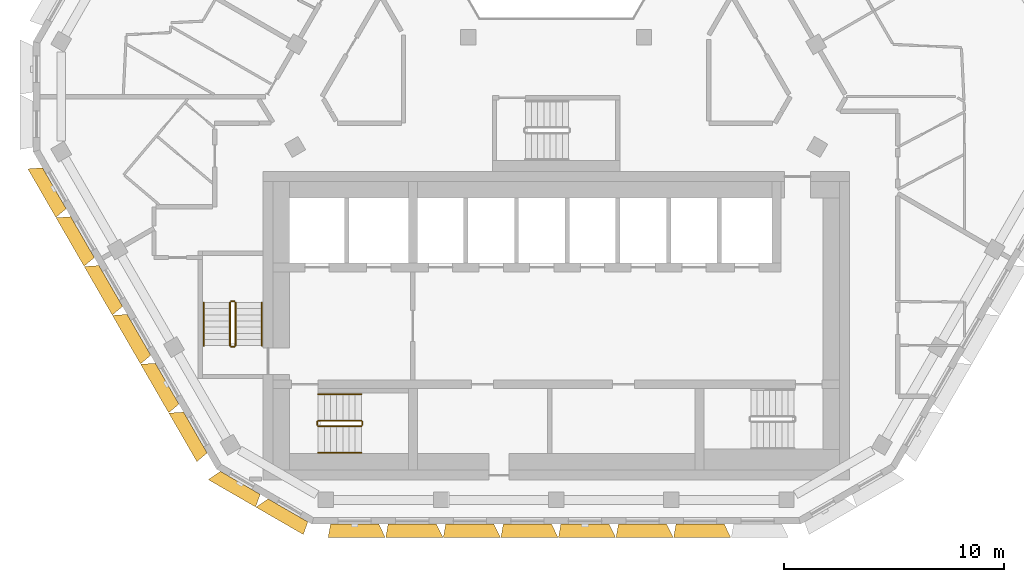
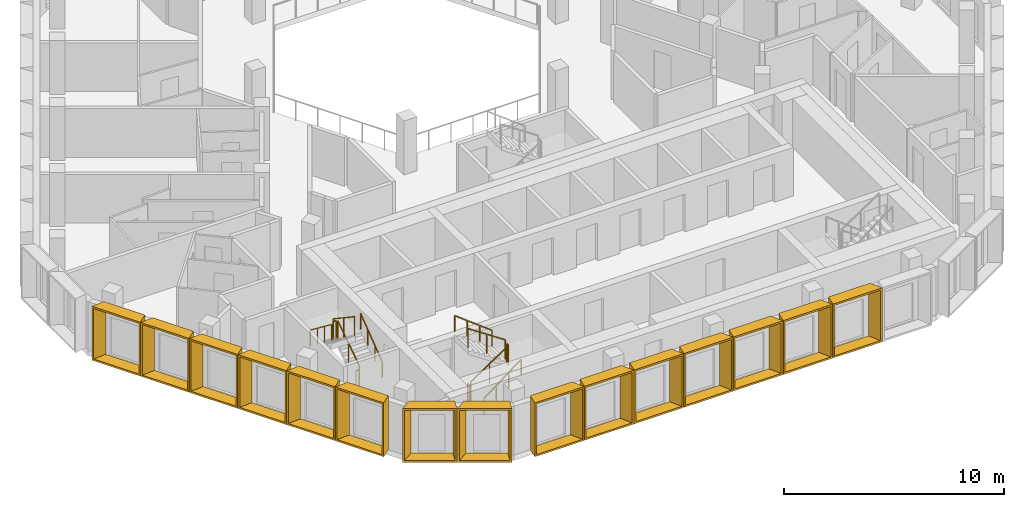
# One storey, part 12 of 16: 15 shading devices, 12 railings.
"""IFC4 building model written with IfcOpenShell, lengths in metres."""

import ifcopenshell
import ifcopenshell.guid

model = None  # the IFC model being written
_history = None  # IfcOwnerHistory: only IFC2X3 demands one
_inside = {}  # id of a spatial element -> (the spatial element, [elements in it])
_under = {}  # id of a project, library or spatial element -> (it, [spatial elements below it])
_declared = {}  # id of a project -> (the project, [libraries it declares])
_typed = {}  # id of a type object -> (the type object, [elements of that type])
_made_of = {}  # id of a material, layer set ... -> (it, [elements and type objects made of it])


def new_model(schema):
    """Start an empty IFC model of exactly this schema.

    Asked for "IFC4X3", IfcOpenShell would pick the latest addendum, in which some entities
    have other attributes; the version numbers below select the first issue.
    IFC2X3 requires an IfcOwnerHistory on every rooted entity: one is made here for all.
    """
    global model, _history
    if schema == "IFC4X3":
        model = ifcopenshell.file(schema_version=(4, 3, 0, 0))
    else:
        model = ifcopenshell.file(schema=schema)
    _inside.clear()
    _under.clear()
    _declared.clear()
    _typed.clear()
    _made_of.clear()
    _history = None
    if model.schema == "IFC2X3":
        org = make("IfcOrganization", Name="unknown")
        user = make(
            "IfcPersonAndOrganization",
            ThePerson=make("IfcPerson", FamilyName="unknown"),
            TheOrganization=org,
        )
        app = make(
            "IfcApplication",
            ApplicationDeveloper=org,
            Version="unknown",
            ApplicationFullName="unknown",
            ApplicationIdentifier="unknown",
        )
        _history = make(
            "IfcOwnerHistory",
            OwningUser=user,
            OwningApplication=app,
            ChangeAction="ADDED",
            CreationDate=0,
        )
    return model


def make(cls, **values):
    """One entity of the class cls with the attributes given. An attribute that is None is left unset."""
    return model.create_entity(
        cls, **{name: value for name, value in values.items() if value is not None}
    )


def entity(cls, *values):
    """Any entity or typed value of the class cls, its attributes in the order of the schema. None: left unset."""
    e = model.create_entity(cls)
    for i, value in enumerate(values):
        if value is not None:
            e[i] = value
    return e


def rooted(cls, **values):
    """An entity with a GlobalId (a new one), such as an element, a storey or a relation."""
    return make(cls, GlobalId=ifcopenshell.guid.new(), OwnerHistory=_history, **values)


def si_unit(unit_type, name, prefix=None):
    """IfcSIUnit, for example si_unit("LENGTHUNIT", "METRE", prefix="MILLI")."""
    return make("IfcSIUnit", UnitType=unit_type, Prefix=prefix, Name=name)


def assignment(units):
    """IfcUnitAssignment: the units of a project."""
    return None if units is None else make("IfcUnitAssignment", Units=units)


def point(xyz):
    """IfcCartesianPoint."""
    return None if xyz is None else make("IfcCartesianPoint", Coordinates=xyz)


def direction(xyz):
    """IfcDirection."""
    return None if xyz is None else make("IfcDirection", DirectionRatios=xyz)


def frame(location, z_axis=None, x_axis=None):
    """IfcAxis2Placement3D, a coordinate frame: its origin and axes. An axis left out is left unset."""
    return make(
        "IfcAxis2Placement3D",
        Location=point(location),
        Axis=direction(z_axis),
        RefDirection=direction(x_axis),
    )


def frame_2d(location, x_axis=None):
    """IfcAxis2Placement2D, a coordinate frame in the plane: its origin and x axis."""
    return make(
        "IfcAxis2Placement2D", Location=point(location), RefDirection=direction(x_axis)
    )


def origin():
    """The frame at (0, 0, 0) with its axes left unset."""
    return frame((0.0, 0.0, 0.0))


def origin_2d():
    """The frame at (0, 0) in the plane with its x axis left unset."""
    return frame_2d((0.0, 0.0))


def place(relative_to, where):
    """IfcLocalPlacement: puts the frame where relative to a parent placement (None: the world)."""
    return make(
        "IfcLocalPlacement", PlacementRelTo=relative_to, RelativePlacement=where
    )


def context(
    kind, dimensions, precision=None, world=None, true_north=None, identifier=None
):
    """IfcGeometricRepresentationContext, for example the 3D "Model" context."""
    return make(
        "IfcGeometricRepresentationContext",
        ContextIdentifier=identifier,
        ContextType=kind,
        CoordinateSpaceDimension=dimensions,
        Precision=precision,
        WorldCoordinateSystem=world,
        TrueNorth=true_north,
    )


def subcontext(parent, identifier, kind, view, scale=None):
    """IfcGeometricRepresentationSubContext, for example "Body" below "Model"."""
    return make(
        "IfcGeometricRepresentationSubContext",
        ContextIdentifier=identifier,
        ContextType=kind,
        ParentContext=parent,
        TargetScale=scale,
        TargetView=view,
    )


def project(units=None, contexts=None):
    """IfcProject with its units and contexts."""
    return rooted(
        "IfcProject",
        Name="project",
        RepresentationContexts=contexts,
        UnitsInContext=assignment(units),
    )


def spatial(cls, under=None, at=None, **own):
    """A site, building, storey or space (cls), placed at a placement, below another one or the project."""
    s = rooted(cls, ObjectPlacement=at, **own)
    if under is not None:
        _under.setdefault(under.id(), (under, []))[1].append(s)
    return s


def profile(cls, at=None, kind="AREA", **sizes):
    """A parametric profile (cls). Its sizes go by their IFC names, for example OverallWidth=200.0."""
    return make(cls, ProfileType=kind, Position=at, **sizes)


def rectangle(**sizes):
    """IfcRectangleProfileDef."""
    return profile("IfcRectangleProfileDef", **sizes)


def extrude(swept, where, along, depth):
    """IfcExtrudedAreaSolid: the profile swept, set in the frame where, extruded along a direction by depth."""
    return make(
        "IfcExtrudedAreaSolid",
        SweptArea=swept,
        Position=where,
        ExtrudedDirection=direction(along),
        Depth=depth,
    )


def shape(context_of_items, identifier, shape_type, items):
    """IfcShapeRepresentation: the items that make up one representation, for example the "Body"."""
    return make(
        "IfcShapeRepresentation",
        ContextOfItems=context_of_items,
        RepresentationIdentifier=identifier,
        RepresentationType=shape_type,
        Items=items,
    )


def source(mapping_origin, context_of_items, identifier, shape_type, items):
    """IfcRepresentationMap: a shape defined once, which mapped items show again and again."""
    return make(
        "IfcRepresentationMap",
        MappingOrigin=mapping_origin,
        MappedRepresentation=shape(context_of_items, identifier, shape_type, items),
    )


def transform(
    local_origin,
    x_axis=None,
    y_axis=None,
    z_axis=None,
    scale=None,
    scale2=None,
    scale3=None,
    uniform=True,
):
    """IfcCartesianTransformationOperator3D, or its non-uniform kind. x_axis, y_axis, z_axis: its Axis1, 2, 3."""
    if uniform:
        return make(
            "IfcCartesianTransformationOperator3D",
            Axis1=direction(x_axis),
            Axis2=direction(y_axis),
            LocalOrigin=point(local_origin),
            Scale=scale,
            Axis3=direction(z_axis),
        )
    return make(
        "IfcCartesianTransformationOperator3DnonUniform",
        Axis1=direction(x_axis),
        Axis2=direction(y_axis),
        LocalOrigin=point(local_origin),
        Scale=scale,
        Axis3=direction(z_axis),
        Scale2=scale2,
        Scale3=scale3,
    )


def mapped(mapping_source, mapping_target):
    """IfcMappedItem: shows the shape of a source again, moved by a transform."""
    return make(
        "IfcMappedItem", MappingSource=mapping_source, MappingTarget=mapping_target
    )


def material(Name=None, Category=None):
    """IfcMaterial."""
    return make("IfcMaterial", Name=Name, Category=Category)


def made_of(thing, what):
    """Note that an element or type object is made of a material, layer set ...; save() writes the relation."""
    if what is not None:
        _made_of.setdefault(what.id(), (what, []))[1].append(thing)
    return thing


def type_object(cls, material=None, **own):
    """A type object (cls), such as IfcWallType, which elements share."""
    return made_of(rooted(cls, **own), material)


def type_shapes(of_type, sources):
    """Give a type object the sources (RepresentationMaps) that its elements show as mapped items."""
    of_type.RepresentationMaps = sources


def element(
    cls,
    number,
    at=None,
    inside=None,
    cuts=None,
    type_object=None,
    material=None,
    context=None,
    identifier="Body",
    shape_type=None,
    held_by="IfcProductDefinitionShape",
    body=None,
    shapes=None,
    **own,
):
    """One element of the class cls, such as IfcWall. Its Tag is "e" and its number.

    at: its placement. inside: the storey or other place that contains it. cuts: it is an
    opening in that element (IfcRelVoidsElement). A single representation is given by context,
    identifier, shape_type and body (its items); several are given by shapes. held_by: the class
    of the entity that holds the representations. save() writes the other relations.
    """
    e = rooted(cls, Tag="e%d" % number, ObjectPlacement=at, **own)
    if body is not None:
        shapes = [shape(context, identifier, shape_type, body)]
    if shapes is not None:
        e.Representation = make(held_by, Representations=shapes)
    if inside is not None:
        _inside.setdefault(inside.id(), (inside, []))[1].append(e)
    if cuts is not None:
        rooted(
            "IfcRelVoidsElement", RelatingBuildingElement=cuts, RelatedOpeningElement=e
        )
    if type_object is not None:
        _typed.setdefault(type_object.id(), (type_object, []))[1].append(e)
    return made_of(e, material)


def aggregate(whole, parts):
    """IfcRelAggregates: a whole, such as a stair, and the parts it consists of."""
    return rooted("IfcRelAggregates", RelatingObject=whole, RelatedObjects=parts)


def save(model, path):
    """Write the relations noted so far, then the file.

    IfcRelAggregates (storeys below a building ...), IfcRelContainedInSpatialStructure (elements
    in a storey), IfcRelDefinesByType, IfcRelAssociatesMaterial and IfcRelDeclares: one each for
    every whole, place, type object, material and project.
    """
    for whole, parts in _under.values():
        aggregate(whole, parts)
    for where, things in _inside.values():
        rooted(
            "IfcRelContainedInSpatialStructure",
            RelatedElements=things,
            RelatingStructure=where,
        )
    for kind, things in _typed.values():
        rooted("IfcRelDefinesByType", RelatedObjects=things, RelatingType=kind)
    for what, things in _made_of.values():
        rooted("IfcRelAssociatesMaterial", RelatedObjects=things, RelatingMaterial=what)
    for by, libraries in _declared.values():
        rooted("IfcRelDeclares", RelatingContext=by, RelatedDefinitions=libraries)
    model.write(path)


model = new_model("IFC4")

# Units and contexts
model_context = context("Model", 3, precision=1e-05, world=origin(), true_north=direction((0.0, 1.0)))
body_context = subcontext(model_context, "Body", "Model", "MODEL_VIEW")
ifc_project = project(units=[si_unit("LENGTHUNIT", "METRE"), si_unit("AREAUNIT", "SQUARE_METRE"), si_unit("VOLUMEUNIT", "CUBIC_METRE"), si_unit("PLANEANGLEUNIT", "RADIAN"), si_unit("MASSUNIT", "GRAM", prefix="KILO")], contexts=[model_context])

# Site, building, storey
site_placement = place(None, origin())
site = spatial("IfcSite", under=ifc_project, at=site_placement, CompositionType="ELEMENT")
building_placement = place(site_placement, origin())
building = spatial("IfcBuilding", under=site, at=building_placement, Name="Beryl Residences", CompositionType="ELEMENT")
storey_placement = place(building_placement, frame((0.0, 0.0, 208.800048828125)))
storey = spatial("IfcBuildingStorey", under=building, at=storey_placement, Name="L64", CompositionType="ELEMENT", Elevation=208.800048828125)

# Shading devices
ifc_material_1 = material(Name="Aluminium pale anodised", Category="aluminium")
shading_device_type_1 = type_object("IfcShadingDeviceType", Name="FR250-60B OUTER SKIN frame 600 mm deep, splay 26/10 deg, 2500 x 3000 mm cell", PredefinedType="USERDEFINED", material=ifc_material_1)
cartesian_point_1 = entity("IfcCartesianPoint", [-1.04052734375, 0.0])
cartesian_point_2 = entity("IfcCartesianPoint", [-0.951416015625, 0.10009765625])
cartesian_point_3 = entity("IfcCartesianPoint", [-1.333251953125, 0.0])
cartesian_point_4 = entity("IfcCartesianPoint", [-1.244140625, 0.10009765625])
shared_shape_1 = source(origin(), body_context, "Body", "SweptSolid", [
    entity("IfcExtrudedAreaSolidTapered", entity("IfcArbitraryProfileDefWithVoids", "AREA", None, entity("IfcPolyline", [cartesian_point_1, entity("IfcCartesianPoint", [1.04052734375, 0.0]), entity("IfcCartesianPoint", [1.04052734375, 3.0]), entity("IfcCartesianPoint", [-1.04052734375, 3.0]), cartesian_point_1]), [entity("IfcPolyline", [cartesian_point_2, entity("IfcCartesianPoint", [0.959228515625, 0.10009765625]), entity("IfcCartesianPoint", [0.959228515625, 2.89990234375]), entity("IfcCartesianPoint", [-0.951416015625, 2.89990234375]), cartesian_point_2])]), entity("IfcAxis2Placement3D", entity("IfcCartesianPoint", [0.0, 0.0, 0.0]), entity("IfcDirection", [0.0, 1.0, 0.0]), entity("IfcDirection", [-1.0, 0.0, 0.0])), entity("IfcDirection", [0.0, 0.0, 1.0]), 0.60009765625, entity("IfcArbitraryProfileDefWithVoids", "AREA", None, entity("IfcPolyline", [cartesian_point_3, entity("IfcCartesianPoint", [1.146240234375, 0.0]), entity("IfcCartesianPoint", [1.146240234375, 3.0]), entity("IfcCartesianPoint", [-1.333251953125, 3.0]), cartesian_point_3]), [entity("IfcPolyline", [cartesian_point_4, entity("IfcCartesianPoint", [1.06494140625, 0.10009765625]), entity("IfcCartesianPoint", [1.06494140625, 2.89990234375]), entity("IfcCartesianPoint", [-1.244140625, 2.89990234375]), cartesian_point_4])])),
])
type_shapes(shading_device_type_1, [shared_shape_1])
for number, where, z_axis, x_axis, name in (
    (1, (-14.33203125, -19.125, 0.0), (0.0, 0.0, 1.0), (-0.866025403784, 0.5, 0.0), "FR250-60B frame L64 SW-S 1"),
    (2, (-12.16796875, -20.375, 0.0), (0.0, 0.0, 1.0), (-0.866025403784, 0.5, 0.0), "FR250-60B frame L64 SW-S 2"),
):
    element("IfcShadingDevice", number, at=place(storey_placement, frame(where, z_axis=z_axis, x_axis=x_axis)), inside=storey, type_object=shading_device_type_1, Name=name, ObjectType="OUTER SKIN", PredefinedType="USERDEFINED", context=body_context, shape_type="MappedRepresentation", body=[
        mapped(shared_shape_1, transform((0.0, 0.0, 0.0))),
    ])
ifc_material_2 = material(Name="Aluminium pale anodised", Category="aluminium")
shading_device_type_2 = type_object("IfcShadingDeviceType", Name="FR256-60B OUTER SKIN frame 600 mm deep, splay 26/10 deg, 2560 x 3000 mm cell", PredefinedType="USERDEFINED", material=ifc_material_2)
cartesian_point_5 = entity("IfcCartesianPoint", [-1.070556640625, 0.0])
cartesian_point_6 = entity("IfcCartesianPoint", [-0.9814453125, 0.10009765625])
cartesian_point_7 = entity("IfcCartesianPoint", [-1.363037109375, 0.0])
cartesian_point_8 = entity("IfcCartesianPoint", [-1.274169921875, 0.10009765625])
shared_shape_2 = source(origin(), body_context, "Body", "SweptSolid", [
    entity("IfcExtrudedAreaSolidTapered", entity("IfcArbitraryProfileDefWithVoids", "AREA", None, entity("IfcPolyline", [cartesian_point_5, entity("IfcCartesianPoint", [1.070556640625, 0.0]), entity("IfcCartesianPoint", [1.070556640625, 3.0]), entity("IfcCartesianPoint", [-1.070556640625, 3.0]), cartesian_point_5]), [entity("IfcPolyline", [cartesian_point_6, entity("IfcCartesianPoint", [0.9892578125, 0.10009765625]), entity("IfcCartesianPoint", [0.9892578125, 2.89990234375]), entity("IfcCartesianPoint", [-0.9814453125, 2.89990234375]), cartesian_point_6])]), entity("IfcAxis2Placement3D", entity("IfcCartesianPoint", [0.0, 0.0, 0.0]), entity("IfcDirection", [0.0, 1.0, 0.0]), entity("IfcDirection", [-1.0, 0.0, 0.0])), entity("IfcDirection", [0.0, 0.0, 1.0]), 0.60009765625, entity("IfcArbitraryProfileDefWithVoids", "AREA", None, entity("IfcPolyline", [cartesian_point_7, entity("IfcCartesianPoint", [1.17626953125, 0.0]), entity("IfcCartesianPoint", [1.17626953125, 3.0]), entity("IfcCartesianPoint", [-1.363037109375, 3.0]), cartesian_point_7]), [entity("IfcPolyline", [cartesian_point_8, entity("IfcCartesianPoint", [1.094970703125, 0.10009765625]), entity("IfcCartesianPoint", [1.094970703125, 2.89990234375]), entity("IfcCartesianPoint", [-1.274169921875, 2.89990234375]), cartesian_point_8])])),
])
type_shapes(shading_device_type_2, [shared_shape_2])
for number, where, z_axis, x_axis, name in (
    (3, (-22.77099609375, -5.758056640625, 0.0), (0.0, 0.0, 1.0), (-0.5, 0.866025403784, 0.0), "FR256-60B frame L64 SW 1"),
    (4, (-21.491943359375, -7.97509765625, 0.0), (0.0, 0.0, 1.0), (-0.5, 0.866025403784, 0.0), "FR256-60B frame L64 SW 2"),
    (5, (-20.2119140625, -10.19091796875, 0.0), (0.0, 0.0, 1.0), (-0.5, 0.866025403784, 0.0), "FR256-60B frame L64 SW 3"),
    (6, (-18.931884765625, -12.407958984375, 0.0), (0.0, 0.0, 1.0), (-0.5, 0.866025403784, 0.0), "FR256-60B frame L64 SW 4"),
    (7, (-17.653076171875, -14.6240234375, 0.0), (0.0, 0.0, 1.0), (-0.5, 0.866025403784, 0.0), "FR256-60B frame L64 SW 5"),
    (8, (-16.373046875, -16.841064453125, 0.0), (0.0, 0.0, 1.0), (-0.5, 0.866025403784, 0.0), "FR256-60B frame L64 SW 6"),
):
    element("IfcShadingDevice", number, at=place(storey_placement, frame(where, z_axis=z_axis, x_axis=x_axis)), inside=storey, type_object=shading_device_type_2, Name=name, ObjectType="OUTER SKIN", PredefinedType="USERDEFINED", context=body_context, shape_type="MappedRepresentation", body=[
        mapped(shared_shape_2, transform((0.0, 0.0, 0.0))),
    ])
ifc_material_3 = material(Name="Aluminium pale anodised", Category="aluminium")
shading_device_type_3 = type_object("IfcShadingDeviceType", Name="FR261-60C OUTER SKIN frame 600 mm deep, splay 10/26 deg, 2610 x 3000 mm cell", PredefinedType="USERDEFINED", material=ifc_material_3)
cartesian_point_9 = entity("IfcCartesianPoint", [-1.095458984375, 0.0])
cartesian_point_10 = entity("IfcCartesianPoint", [-1.01416015625, 0.10009765625])
cartesian_point_11 = entity("IfcCartesianPoint", [-1.201416015625, 0.0])
cartesian_point_12 = entity("IfcCartesianPoint", [-1.1201171875, 0.10009765625])
shared_shape_3 = source(origin(), body_context, "Body", "SweptSolid", [
    entity("IfcExtrudedAreaSolidTapered", entity("IfcArbitraryProfileDefWithVoids", "AREA", None, entity("IfcPolyline", [cartesian_point_9, entity("IfcCartesianPoint", [1.095458984375, 0.0]), entity("IfcCartesianPoint", [1.095458984375, 3.0]), entity("IfcCartesianPoint", [-1.095458984375, 3.0]), cartesian_point_9]), [entity("IfcPolyline", [cartesian_point_10, entity("IfcCartesianPoint", [1.006591796875, 0.10009765625]), entity("IfcCartesianPoint", [1.006591796875, 2.89990234375]), entity("IfcCartesianPoint", [-1.01416015625, 2.89990234375]), cartesian_point_10])]), entity("IfcAxis2Placement3D", entity("IfcCartesianPoint", [0.0, 0.0, 0.0]), entity("IfcDirection", [0.0, 1.0, 0.0]), entity("IfcDirection", [-1.0, 0.0, 0.0])), entity("IfcDirection", [0.0, 0.0, 1.0]), 0.60009765625, entity("IfcArbitraryProfileDefWithVoids", "AREA", None, entity("IfcPolyline", [cartesian_point_11, entity("IfcCartesianPoint", [1.38818359375, 0.0]), entity("IfcCartesianPoint", [1.38818359375, 3.0]), entity("IfcCartesianPoint", [-1.201416015625, 3.0]), cartesian_point_11]), [entity("IfcPolyline", [cartesian_point_12, entity("IfcCartesianPoint", [1.299072265625, 0.10009765625]), entity("IfcCartesianPoint", [1.299072265625, 2.89990234375]), entity("IfcCartesianPoint", [-1.1201171875, 2.89990234375]), cartesian_point_12])])),
])
type_shapes(shading_device_type_3, [shared_shape_3])
for number, where, z_axis, x_axis, name in (
    (9, (-9.14404296875, -21.0, 0.0), (0.0, 0.0, 1.0), (-1.0, 0.0, 0.0), "FR261-60C frame L64 S 1"),
    (10, (-6.531005859375, -21.0, 0.0), (0.0, 0.0, 1.0), (-1.0, 0.0, 0.0), "FR261-60C frame L64 S 2"),
    (11, (-3.9189453125, -21.0, 0.0), (0.0, 0.0, 1.0), (-1.0, 0.0, 0.0), "FR261-60C frame L64 S 3"),
    (12, (-1.305908203125, -21.0, 0.0), (0.0, 0.0, 1.0), (-1.0, 0.0, 0.0), "FR261-60C frame L64 S 4"),
    (13, (1.305908203125, -21.0, 0.0), (0.0, 0.0, 1.0), (-1.0, 0.0, 0.0), "FR261-60C frame L64 S 5"),
    (14, (3.9189453125, -21.0, 0.0), (0.0, 0.0, 1.0), (-1.0, 0.0, 0.0), "FR261-60C frame L64 S 6"),
    (15, (6.531005859375, -21.0, 0.0), (0.0, 0.0, 1.0), (-1.0, 0.0, 0.0), "FR261-60C frame L64 S 7"),
):
    element("IfcShadingDevice", number, at=place(storey_placement, frame(where, z_axis=z_axis, x_axis=x_axis)), inside=storey, type_object=shading_device_type_3, Name=name, ObjectType="OUTER SKIN", PredefinedType="USERDEFINED", context=body_context, shape_type="MappedRepresentation", body=[
        mapped(shared_shape_3, transform((0.0, 0.0, 0.0))),
    ])

# Railings
ifc_material_4 = material(Name="Stainless steel balustrade with glass infill", Category="steel")
railing_type_1 = type_object("IfcRailingType", Name="SG1 stair guard 1100 mm", PredefinedType="GUARDRAIL", material=ifc_material_4)
railing_1_placement = place(storey_placement, frame((-10.800048828125, -16.550048828125, 0.1875)))
element("IfcRailing", 16, at=railing_1_placement, inside=storey, type_object=railing_type_1, Name="L64 ST-1 stair guard 1", PredefinedType="GUARDRAIL", context=body_context, shape_type="SweptSolid", body=[
    extrude(rectangle(XDim=0.048095703125, YDim=0.048095703125, at=origin_2d()), frame((0.0, 0.0, 1.076171875), z_axis=(0.830902050051, 0.0, 0.556418712142), x_axis=(0.0, 1.0, 0.0)), (0.0, 0.0, 1.0), 2.35888671875),
    extrude(rectangle(XDim=0.0419921875, YDim=0.0419921875, at=origin_2d()), origin(), (0.0, 0.0, 1.0), 1.052001953125),
    extrude(rectangle(XDim=0.0419921875, YDim=0.0419921875, at=origin_2d()), frame((0.97998046875, 0.0, 0.65625)), (0.0, 0.0, 1.0), 1.052001953125),
    extrude(rectangle(XDim=0.0419921875, YDim=0.0419921875, at=origin_2d()), frame((1.9599609375, 0.0, 1.3125)), (0.0, 0.0, 1.0), 1.052001953125),
])
railing_2_placement = place(storey_placement, frame((-8.7900390625, -16.5, 1.5)))
element("IfcRailing", 17, at=railing_2_placement, inside=storey, type_object=railing_type_1, Name="L64 ST-1 stair guard 2", PredefinedType="GUARDRAIL", context=body_context, shape_type="SweptSolid", body=[
    extrude(rectangle(XDim=0.048095703125, YDim=0.048095703125, at=origin_2d()), frame((0.0, 0.0, 1.076171875), z_axis=(0.0, 1.0, 0.0), x_axis=(-1.0, 0.0, 0.0)), (0.0, 0.0, 1.0), 0.14990234375),
    extrude(rectangle(XDim=0.0419921875, YDim=0.0419921875, at=origin_2d()), origin(), (0.0, 0.0, 1.0), 1.052001953125),
    extrude(rectangle(XDim=0.0419921875, YDim=0.0419921875, at=origin_2d()), frame((0.0, 0.14990234375, 0.0)), (0.0, 0.0, 1.0), 1.052001953125),
])
railing_3_placement = place(storey_placement, frame((-8.840087890625, -16.300048828125, 1.6875)))
element("IfcRailing", 18, at=railing_3_placement, inside=storey, type_object=railing_type_1, Name="L64 ST-1 stair guard 3", PredefinedType="GUARDRAIL", context=body_context, shape_type="SweptSolid", body=[
    extrude(rectangle(XDim=0.048095703125, YDim=0.048095703125, at=origin_2d()), frame((0.0, 0.0, 1.076171875), z_axis=(-0.830902050051, 0.0, 0.556418712142), x_axis=(0.0, -1.0, 0.0)), (0.0, 0.0, 1.0), 2.35888671875),
    extrude(rectangle(XDim=0.0419921875, YDim=0.0419921875, at=origin_2d()), origin(), (0.0, 0.0, 1.0), 1.052001953125),
    extrude(rectangle(XDim=0.0419921875, YDim=0.0419921875, at=origin_2d()), frame((-0.97998046875, 0.0, 0.65625)), (0.0, 0.0, 1.0), 1.052001953125),
    extrude(rectangle(XDim=0.0419921875, YDim=0.0419921875, at=origin_2d()), frame((-1.9599609375, 0.0, 1.3125)), (0.0, 0.0, 1.0), 1.052001953125),
])
railing_4_placement = place(storey_placement, frame((-10.85009765625, -16.5, 0.0)))
element("IfcRailing", 19, at=railing_4_placement, inside=storey, type_object=railing_type_1, Name="L64 ST-1 stair guard 4", PredefinedType="GUARDRAIL", context=body_context, shape_type="SweptSolid", body=[
    extrude(rectangle(XDim=0.048095703125, YDim=0.048095703125, at=origin_2d()), frame((0.0, 0.0, 1.076171875), z_axis=(0.0, 1.0, 0.0), x_axis=(-1.0, 0.0, 0.0)), (0.0, 0.0, 1.0), 0.14990234375),
    extrude(rectangle(XDim=0.0419921875, YDim=0.0419921875, at=origin_2d()), origin(), (0.0, 0.0, 1.0), 1.052001953125),
    extrude(rectangle(XDim=0.0419921875, YDim=0.0419921875, at=origin_2d()), frame((0.0, 0.14990234375, 0.0)), (0.0, 0.0, 1.0), 1.052001953125),
])
railing_5_placement = place(storey_placement, frame((-14.550048828125, -12.89990234375, 0.1875)))
element("IfcRailing", 20, at=railing_5_placement, inside=storey, type_object=railing_type_1, Name="L64 ST-2 stair guard 1", PredefinedType="GUARDRAIL", context=body_context, shape_type="SweptSolid", body=[
    extrude(rectangle(XDim=0.048095703125, YDim=0.048095703125, at=origin_2d()), frame((0.0, 0.0, 1.076171875), z_axis=(0.0, 0.830902050051, 0.556418712142), x_axis=(-1.0, 0.0, 0.0)), (0.0, 0.0, 1.0), 2.35888671875),
    extrude(rectangle(XDim=0.0419921875, YDim=0.0419921875, at=origin_2d()), origin(), (0.0, 0.0, 1.0), 1.052001953125),
    extrude(rectangle(XDim=0.0419921875, YDim=0.0419921875, at=origin_2d()), frame((0.0, 0.97998046875, 0.65625)), (0.0, 0.0, 1.0), 1.052001953125),
    extrude(rectangle(XDim=0.0419921875, YDim=0.0419921875, at=origin_2d()), frame((0.0, 1.9599609375, 1.3125)), (0.0, 0.0, 1.0), 1.052001953125),
])
railing_6_placement = place(storey_placement, frame((-14.60009765625, -10.889892578125, 1.5)))
element("IfcRailing", 21, at=railing_6_placement, inside=storey, type_object=railing_type_1, Name="L64 ST-2 stair guard 2", PredefinedType="GUARDRAIL", context=body_context, shape_type="SweptSolid", body=[
    extrude(rectangle(XDim=0.048095703125, YDim=0.048095703125, at=origin_2d()), frame((0.0, 0.0, 1.076171875), z_axis=(-1.0, 0.0, 0.0), x_axis=(0.0, -1.0, 0.0)), (0.0, 0.0, 1.0), 0.14990234375),
    extrude(rectangle(XDim=0.0419921875, YDim=0.0419921875, at=origin_2d()), origin(), (0.0, 0.0, 1.0), 1.052001953125),
    extrude(rectangle(XDim=0.0419921875, YDim=0.0419921875, at=origin_2d()), frame((-0.14990234375, 0.0, 0.0)), (0.0, 0.0, 1.0), 1.052001953125),
])
railing_7_placement = place(storey_placement, frame((-14.800048828125, -10.93994140625, 1.6875)))
element("IfcRailing", 22, at=railing_7_placement, inside=storey, type_object=railing_type_1, Name="L64 ST-2 stair guard 3", PredefinedType="GUARDRAIL", context=body_context, shape_type="SweptSolid", body=[
    extrude(rectangle(XDim=0.048095703125, YDim=0.048095703125, at=origin_2d()), frame((0.0, 0.0, 1.076171875), z_axis=(0.0, -0.830902050051, 0.556418712142), x_axis=(1.0, 0.0, 0.0)), (0.0, 0.0, 1.0), 2.35888671875),
    extrude(rectangle(XDim=0.0419921875, YDim=0.0419921875, at=origin_2d()), origin(), (0.0, 0.0, 1.0), 1.052001953125),
    extrude(rectangle(XDim=0.0419921875, YDim=0.0419921875, at=origin_2d()), frame((0.0, -0.97998046875, 0.65625)), (0.0, 0.0, 1.0), 1.052001953125),
    extrude(rectangle(XDim=0.0419921875, YDim=0.0419921875, at=origin_2d()), frame((0.0, -1.9599609375, 1.3125)), (0.0, 0.0, 1.0), 1.052001953125),
])
railing_8_placement = place(storey_placement, frame((-14.60009765625, -12.949951171875, 0.0)))
element("IfcRailing", 23, at=railing_8_placement, inside=storey, type_object=railing_type_1, Name="L64 ST-2 stair guard 4", PredefinedType="GUARDRAIL", context=body_context, shape_type="SweptSolid", body=[
    extrude(rectangle(XDim=0.048095703125, YDim=0.048095703125, at=origin_2d()), frame((0.0, 0.0, 1.076171875), z_axis=(-1.0, 0.0, 0.0), x_axis=(0.0, -1.0, 0.0)), (0.0, 0.0, 1.0), 0.14990234375),
    extrude(rectangle(XDim=0.0419921875, YDim=0.0419921875, at=origin_2d()), origin(), (0.0, 0.0, 1.0), 1.052001953125),
    extrude(rectangle(XDim=0.0419921875, YDim=0.0419921875, at=origin_2d()), frame((-0.14990234375, 0.0, 0.0)), (0.0, 0.0, 1.0), 1.052001953125),
])
ifc_material_5 = material(Name="Stainless steel handrail", Category="steel")
railing_type_2 = type_object("IfcRailingType", Name="SRL1 stair handrail 900 mm", PredefinedType="HANDRAIL", material=ifc_material_5)
railing_9_placement = place(storey_placement, frame((-10.800048828125, -17.75, 0.1875)))
element("IfcRailing", 24, at=railing_9_placement, inside=storey, type_object=railing_type_2, Name="L64 ST-1 stair handrail 1", PredefinedType="HANDRAIL", context=body_context, shape_type="SweptSolid", body=[
    extrude(rectangle(XDim=0.048095703125, YDim=0.048095703125, at=origin_2d()), frame((0.0, 0.0, 0.8759765625), z_axis=(0.794121922505, 0.0, 0.607758481798), x_axis=(0.0, 1.0, 0.0)), (0.0, 0.0, 1.0), 2.468017578125),
    extrude(rectangle(XDim=0.0419921875, YDim=0.0419921875, at=origin_2d()), origin(), (0.0, 0.0, 1.0), 0.851806640625),
    extrude(rectangle(XDim=0.0419921875, YDim=0.0419921875, at=origin_2d()), frame((0.6533203125, 0.0, 0.5)), (0.0, 0.0, 1.0), 0.851806640625),
    extrude(rectangle(XDim=0.0419921875, YDim=0.0419921875, at=origin_2d()), frame((1.306640625, 0.0, 1.0)), (0.0, 0.0, 1.0), 0.851806640625),
    extrude(rectangle(XDim=0.0419921875, YDim=0.0419921875, at=origin_2d()), frame((1.9599609375, 0.0, 1.5)), (0.0, 0.0, 1.0), 0.851806640625),
])
railing_10_placement = place(storey_placement, frame((-8.840087890625, -15.10009765625, 1.6875)))
element("IfcRailing", 25, at=railing_10_placement, inside=storey, type_object=railing_type_2, Name="L64 ST-1 stair handrail 2", PredefinedType="HANDRAIL", context=body_context, shape_type="SweptSolid", body=[
    extrude(rectangle(XDim=0.048095703125, YDim=0.048095703125, at=origin_2d()), frame((0.0, 0.0, 0.8759765625), z_axis=(-0.794121922505, 0.0, 0.607758481798), x_axis=(0.0, -1.0, 0.0)), (0.0, 0.0, 1.0), 2.468017578125),
    extrude(rectangle(XDim=0.0419921875, YDim=0.0419921875, at=origin_2d()), origin(), (0.0, 0.0, 1.0), 0.851806640625),
    extrude(rectangle(XDim=0.0419921875, YDim=0.0419921875, at=origin_2d()), frame((-0.6533203125, 0.0, 0.5)), (0.0, 0.0, 1.0), 0.851806640625),
    extrude(rectangle(XDim=0.0419921875, YDim=0.0419921875, at=origin_2d()), frame((-1.306640625, 0.0, 1.0)), (0.0, 0.0, 1.0), 0.851806640625),
    extrude(rectangle(XDim=0.0419921875, YDim=0.0419921875, at=origin_2d()), frame((-1.9599609375, 0.0, 1.5)), (0.0, 0.0, 1.0), 0.851806640625),
])
railing_11_placement = place(storey_placement, frame((-13.35009765625, -12.89990234375, 0.1875)))
element("IfcRailing", 26, at=railing_11_placement, inside=storey, type_object=railing_type_2, Name="L64 ST-2 stair handrail 1", PredefinedType="HANDRAIL", context=body_context, shape_type="SweptSolid", body=[
    extrude(rectangle(XDim=0.048095703125, YDim=0.048095703125, at=origin_2d()), frame((0.0, 0.0, 0.8759765625), z_axis=(0.0, 0.794121922505, 0.607758481798), x_axis=(-1.0, 0.0, 0.0)), (0.0, 0.0, 1.0), 2.468017578125),
    extrude(rectangle(XDim=0.0419921875, YDim=0.0419921875, at=origin_2d()), origin(), (0.0, 0.0, 1.0), 0.851806640625),
    extrude(rectangle(XDim=0.0419921875, YDim=0.0419921875, at=origin_2d()), frame((0.0, 0.6533203125, 0.5)), (0.0, 0.0, 1.0), 0.851806640625),
    extrude(rectangle(XDim=0.0419921875, YDim=0.0419921875, at=origin_2d()), frame((0.0, 1.306640625, 1.0)), (0.0, 0.0, 1.0), 0.851806640625),
    extrude(rectangle(XDim=0.0419921875, YDim=0.0419921875, at=origin_2d()), frame((0.0, 1.9599609375, 1.5)), (0.0, 0.0, 1.0), 0.851806640625),
])
railing_12_placement = place(storey_placement, frame((-16.0, -10.93994140625, 1.6875)))
element("IfcRailing", 27, at=railing_12_placement, inside=storey, type_object=railing_type_2, Name="L64 ST-2 stair handrail 2", PredefinedType="HANDRAIL", context=body_context, shape_type="SweptSolid", body=[
    extrude(rectangle(XDim=0.048095703125, YDim=0.048095703125, at=origin_2d()), frame((0.0, 0.0, 0.8759765625), z_axis=(0.0, -0.794121922505, 0.607758481798), x_axis=(1.0, 0.0, 0.0)), (0.0, 0.0, 1.0), 2.468017578125),
    extrude(rectangle(XDim=0.0419921875, YDim=0.0419921875, at=origin_2d()), origin(), (0.0, 0.0, 1.0), 0.851806640625),
    extrude(rectangle(XDim=0.0419921875, YDim=0.0419921875, at=origin_2d()), frame((0.0, -0.6533203125, 0.5)), (0.0, 0.0, 1.0), 0.851806640625),
    extrude(rectangle(XDim=0.0419921875, YDim=0.0419921875, at=origin_2d()), frame((0.0, -1.306640625, 1.0)), (0.0, 0.0, 1.0), 0.851806640625),
    extrude(rectangle(XDim=0.0419921875, YDim=0.0419921875, at=origin_2d()), frame((0.0, -1.9599609375, 1.5)), (0.0, 0.0, 1.0), 0.851806640625),
])

save(model, "model.ifc")
